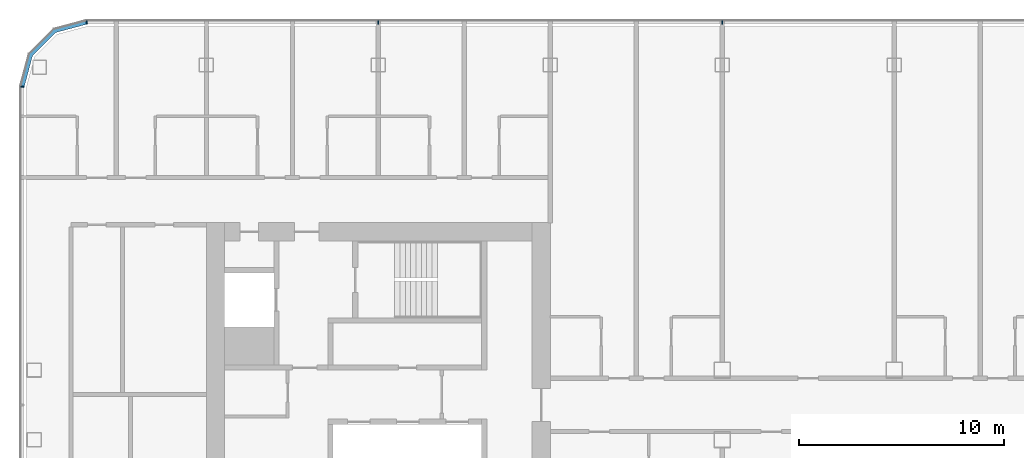
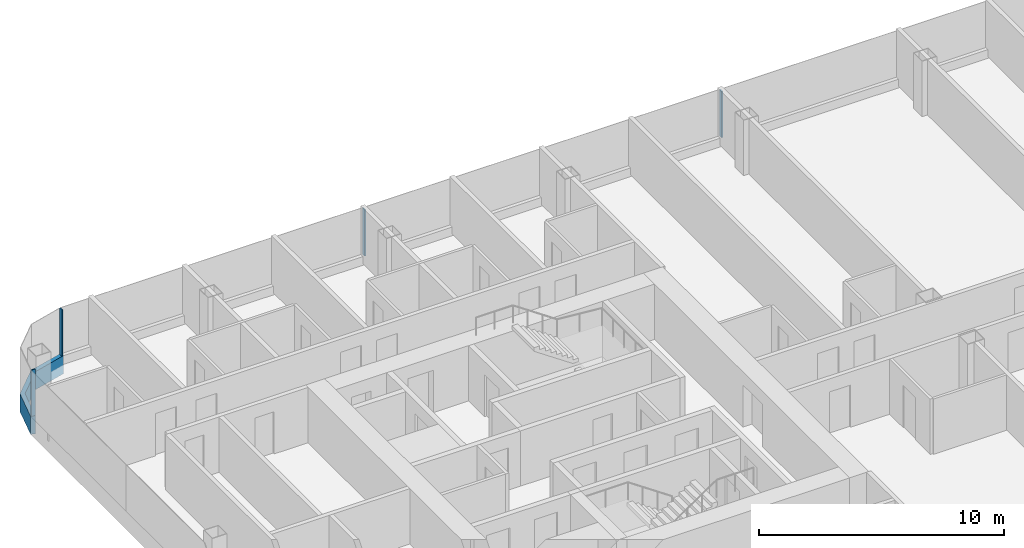
# One storey, part 6 of 26: 5 members, 3 elements without a shape of their own.
"""IFC4 building model written with IfcOpenShell, lengths in metres."""

from ifc_helpers import new_model, si_unit, direction, frame, origin, origin_2d, place, context, subcontext, project, spatial, polyline, rectangle, outline, extrude, material, layer, layer_set, material_profile, profile_set, type_object, element, aggregate, save


model = new_model("IFC4")

# Units and contexts
model_context = context("Model", 3, precision=1e-05, world=origin(), true_north=direction((0.0, 1.0)))
body_context = subcontext(model_context, "Body", "Model", "MODEL_VIEW")
ifc_project = project(units=[si_unit("LENGTHUNIT", "METRE"), si_unit("AREAUNIT", "SQUARE_METRE"), si_unit("VOLUMEUNIT", "CUBIC_METRE"), si_unit("PLANEANGLEUNIT", "RADIAN"), si_unit("MASSUNIT", "GRAM", prefix="KILO")], contexts=[model_context])

# Site, building, storey
site_placement = place(None, origin())
site = spatial("IfcSite", under=ifc_project, at=site_placement, CompositionType="ELEMENT")
building_placement = place(site_placement, origin())
building = spatial("IfcBuilding", under=site, at=building_placement, Name="Hakoniwa Tower and Hamabe Station Hall", CompositionType="ELEMENT")
storey_placement = place(building_placement, frame((0.0, 0.0, 134.199951171875)))
storey = spatial("IfcBuildingStorey", under=building, at=storey_placement, Name="L37", CompositionType="ELEMENT", Elevation=134.199951171875)

# Curtain wall, member
ifc_material_1 = material(Name="Dark low-e laminated glass", Category="glass")
ifc_layer = layer(ifc_material_1, 0.199951171875)
ifc_layer_set = layer_set([ifc_layer], Name="CW-1 UNITISED GUEST")
curtain_wall_type = type_object("IfcCurtainWallType", Name="CW-1 UNITISED GUEST", PredefinedType="NOTDEFINED", material=ifc_layer_set)
curtain_wall_1_placement = place(storey_placement, origin())
curtain_wall_1 = element("IfcCurtainWall", 1, at=curtain_wall_1_placement, inside=storey, type_object=curtain_wall_type, Name="CW-1 curtain wall", PredefinedType="NOTDEFINED")
ifc_material_2 = material(Name="Aluminium 6063-T5 black anodised", Category="aluminium")
ifc_material_profile_1 = material_profile(ifc_material_2, rectangle(XDim=0.199951171875, YDim=0.89990234375, at=origin_2d()), Name="CW SLAB-EDGE BAND 900X200")
ifc_profile_set_1 = profile_set([ifc_material_profile_1], Name="Aluminium 6063-T5 black anodised")
member_type_1 = type_object("IfcMemberType", Name="CW SLAB-EDGE BAND 900X200", PredefinedType="USERDEFINED", material=ifc_profile_set_1)
member_1_placement = place(storey_placement, frame((0.0, 0.0, -0.550048828125)))
member_1 = element("IfcMember", 2, at=member_1_placement, type_object=member_type_1, Name="CW-1 transom", ObjectType="TRANSOM", PredefinedType="USERDEFINED", context=body_context, shape_type="SweptSolid", body=[
    extrude(outline(polyline([(-39.439453125, 18.300048828125), (-41.05517578125, 17.866943359375), (-42.26708984375, 16.6552734375), (-42.699951171875, 15.03955078125), (-42.5068359375, 14.98779296875), (-42.087646484375, 16.5517578125), (-40.95166015625, 17.687744140625), (-39.3876953125, 18.10693359375), (-39.439453125, 18.300048828125)])), origin(), (0.0, 0.0, 1.0), 0.900146484375),
])
aggregate(curtain_wall_1, [member_1])

# Curtain wall, members
curtain_wall_2_placement = place(storey_placement, origin())
curtain_wall_2 = element("IfcCurtainWall", 3, at=curtain_wall_2_placement, inside=storey, type_object=curtain_wall_type, Name="CW-1 curtain wall", PredefinedType="NOTDEFINED")
ifc_material_3 = material(Name="Aluminium 6063-T5 black anodised", Category="aluminium")
ifc_material_profile_2 = material_profile(ifc_material_3, rectangle(XDim=0.06005859375, YDim=0.179931640625, at=origin_2d()), Name="CW-1 MULLION 60X180")
ifc_profile_set_2 = profile_set([ifc_material_profile_2], Name="Aluminium 6063-T5 black anodised")
member_type_2 = type_object("IfcMemberType", Name="CW-1 MULLION 60X180", PredefinedType="MULLION", material=ifc_profile_set_2)
member_2_placement = place(storey_placement, frame((-8.39990234375, 18.181884765625, 0.35009765625), z_axis=(0.0, 0.0, 1.0), x_axis=(-1.0, 0.0, 0.0)))
member_2 = element("IfcMember", 4, at=member_2_placement, type_object=member_type_2, Name="CW-1 mullion", PredefinedType="MULLION", context=body_context, shape_type="SweptSolid", body=[
    extrude(rectangle(XDim=0.06005859375, YDim=0.179931640625, at=origin_2d()), origin(), (0.0, 0.0, 1.0), 2.300048828125),
])
member_3_placement = place(storey_placement, frame((-25.199951171875, 18.181884765625, 0.35009765625), z_axis=(0.0, 0.0, 1.0), x_axis=(-1.0, 0.0, 0.0)))
member_3 = element("IfcMember", 5, at=member_3_placement, type_object=member_type_2, Name="CW-1 mullion", PredefinedType="MULLION", context=body_context, shape_type="SweptSolid", body=[
    extrude(rectangle(XDim=0.06005859375, YDim=0.179931640625, at=origin_2d()), origin(), (0.0, 0.0, 1.0), 2.300048828125),
])
member_4_placement = place(storey_placement, frame((-39.439453125, 18.181884765625, 0.35009765625), z_axis=(0.0, 0.0, 1.0), x_axis=(-1.0, 0.0, 0.0)))
member_4 = element("IfcMember", 6, at=member_4_placement, type_object=member_type_2, Name="CW-1 mullion", PredefinedType="MULLION", context=body_context, shape_type="SweptSolid", body=[
    extrude(rectangle(XDim=0.06005859375, YDim=0.179931640625, at=origin_2d()), origin(), (0.0, 0.0, 1.0), 2.300048828125),
])
aggregate(curtain_wall_2, [member_2, member_3, member_4])

# Curtain wall, member
curtain_wall_3_placement = place(storey_placement, origin())
curtain_wall_3 = element("IfcCurtainWall", 7, at=curtain_wall_3_placement, inside=storey, type_object=curtain_wall_type, Name="CW-1 curtain wall", PredefinedType="NOTDEFINED")
member_5_placement = place(storey_placement, frame((-42.58203125, 15.03955078125, 0.35009765625), z_axis=(0.0, 0.0, 1.0), x_axis=(0.0, -1.0, 0.0)))
member_5 = element("IfcMember", 8, at=member_5_placement, type_object=member_type_2, Name="CW-1 mullion", PredefinedType="MULLION", context=body_context, shape_type="SweptSolid", body=[
    extrude(rectangle(XDim=0.06005859375, YDim=0.179931640625, at=origin_2d()), origin(), (0.0, 0.0, 1.0), 2.300048828125),
])
aggregate(curtain_wall_3, [member_5])

save(model, "model.ifc")
